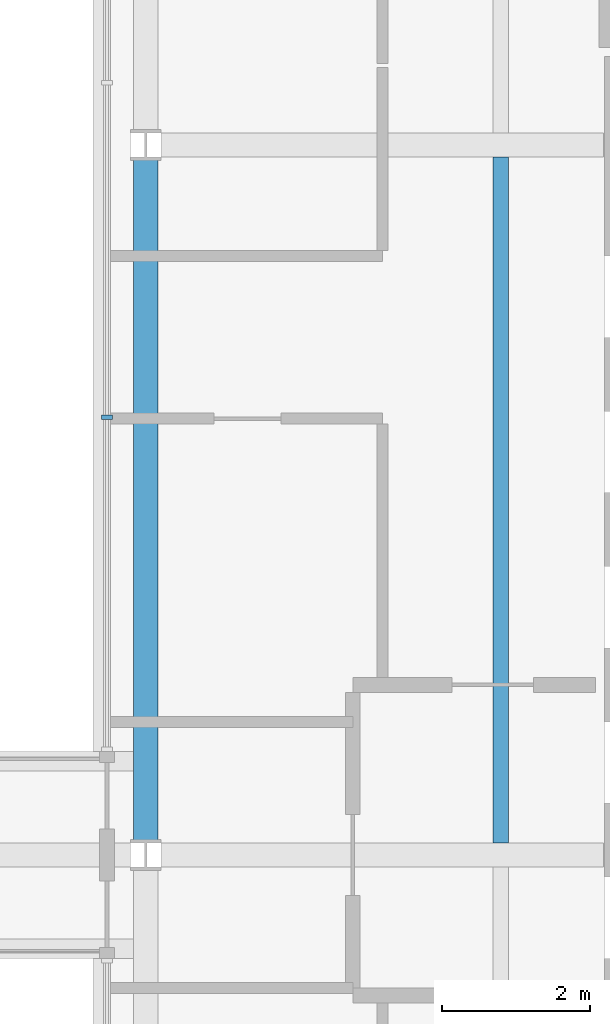
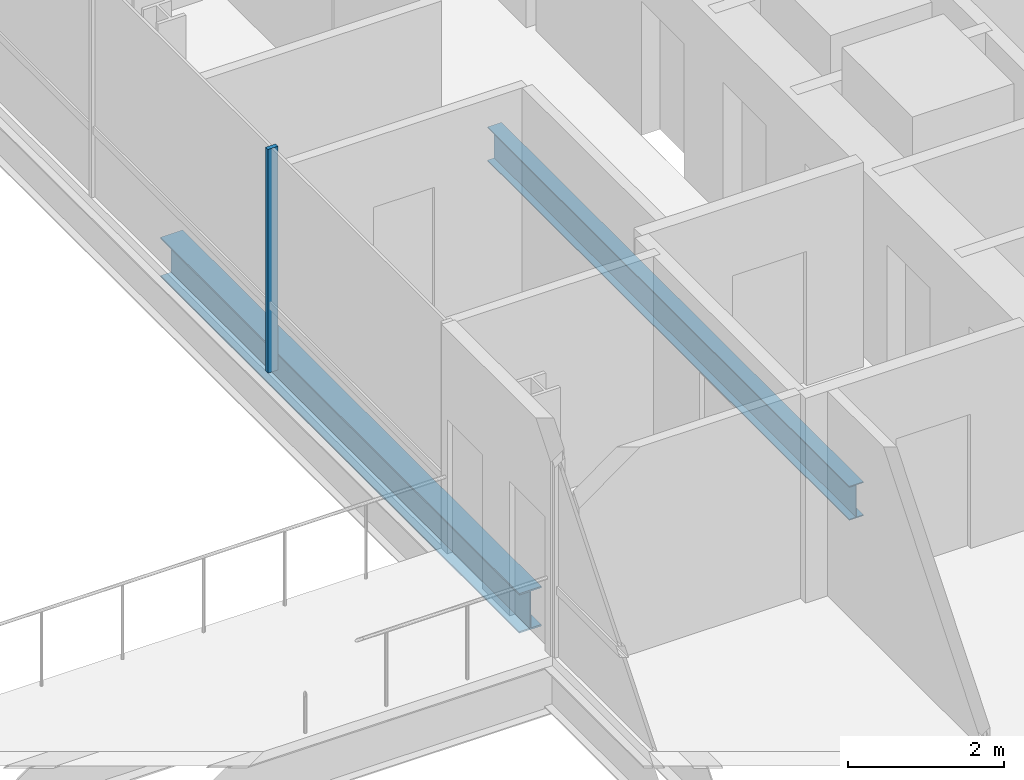
# One storey, part 5 of 21: 2 beams, 1 member, 1 element without a shape of its own.
"""IFC4 building model written with IfcOpenShell, lengths in metres."""

from ifc_helpers import new_model, si_unit, direction, frame, origin, origin_2d, place, context, subcontext, project, spatial, rectangle, i_section, extrude, material, material_profile, profile_set, type_object, element, aggregate, save


model = new_model("IFC4")

# Units and contexts
model_context = context("Model", 3, precision=1e-05, world=origin(), true_north=direction((0.0, 1.0)))
body_context = subcontext(model_context, "Body", "Model", "MODEL_VIEW")
ifc_project = project(units=[si_unit("LENGTHUNIT", "METRE"), si_unit("AREAUNIT", "SQUARE_METRE"), si_unit("VOLUMEUNIT", "CUBIC_METRE"), si_unit("PLANEANGLEUNIT", "RADIAN"), si_unit("MASSUNIT", "GRAM", prefix="KILO")], contexts=[model_context])

# Site, building, storey
site_placement = place(None, origin())
site = spatial("IfcSite", under=ifc_project, at=site_placement, CompositionType="ELEMENT")
building_placement = place(site_placement, origin())
building = spatial("IfcBuilding", under=site, at=building_placement, Name="Cobrizo Arcos Hotel Tower", CompositionType="ELEMENT")
storey_placement = place(building_placement, frame((0.0, 0.0, 81.0)))
storey = spatial("IfcBuildingStorey", under=building, at=storey_placement, Name="L19", CompositionType="ELEMENT", Elevation=81.0)

# Curtain wall, member
ifc_material_1 = material(Name="Aluminium 6063-T6 anodised bronze", Category="aluminium")
curtain_wall_type = type_object("IfcCurtainWallType", Name="CW-F void screen", PredefinedType="NOTDEFINED", material=ifc_material_1)
curtain_wall_placement = place(storey_placement, origin())
curtain_wall = element("IfcCurtainWall", 1, at=curtain_wall_placement, inside=storey, type_object=curtain_wall_type, Name="CW-F L19 void screen A", PredefinedType="NOTDEFINED")
ifc_material_profile_1 = material_profile(ifc_material_1, rectangle(XDim=0.14990234375, YDim=0.06005859375, at=origin_2d()), Name="CW-F mullion 150x60")
ifc_profile_set_1 = profile_set([ifc_material_profile_1], Name="Aluminium 6063-T6 anodised bronze")
member_type = type_object("IfcMemberType", Name="CW-F mullion 150x60", PredefinedType="MULLION", material=ifc_profile_set_1)
member_placement = place(storey_placement, frame((9.074951171875, 5.919921875, 0.0), z_axis=(0.0, 0.0, 1.0), x_axis=(1.0, 0.0, 0.0)))
member = element("IfcMember", 2, at=member_placement, type_object=member_type, Name="CW-F mullion 2", PredefinedType="MULLION", context=body_context, shape_type="SweptSolid", body=[
    extrude(rectangle(XDim=0.14990234375, YDim=0.06005859375, at=origin_2d()), origin(), (0.0, 0.0, 1.0), 3.5),
])
aggregate(curtain_wall, [member])

# Beams
ifc_material_2 = material(Name="Steel ASTM A992 Grade 50", Category="steel")
ifc_material_profile_2 = material_profile(ifc_material_2, i_section(OverallWidth=0.209228515625, OverallDepth=0.533447265625, WebThickness=0.01025390625, FlangeThickness=0.015625, at=origin_2d()), Name="W21X62")
ifc_profile_set_2 = profile_set([ifc_material_profile_2], Name="Steel ASTM A992 Grade 50")
beam_type_1 = type_object("IfcBeamType", Name="W21X62 joist", PredefinedType="JOIST", material=ifc_profile_set_2)
beam_1_placement = place(storey_placement, frame((14.39990234375, 0.163818359375, -0.416748046875), z_axis=(0.0, 1.0, 0.0), x_axis=(-1.0, 0.0, 0.0)))
element("IfcBeam", 3, at=beam_1_placement, inside=storey, type_object=beam_type_1, Name="Floor joist J1, L19, no. 009", PredefinedType="JOIST", context=body_context, shape_type="SweptSolid", body=[
    extrude(i_section(OverallWidth=0.209228515625, OverallDepth=0.533447265625, WebThickness=0.01025390625, FlangeThickness=0.015625, at=origin_2d()), origin(), (0.0, 0.0, 1.0), 9.272216796875),
])
ifc_material_profile_3 = material_profile(ifc_material_2, i_section(OverallWidth=0.32763671875, OverallDepth=0.622314453125, WebThickness=0.015380859375, FlangeThickness=0.0244140625, at=origin_2d()), Name="W24X131")
ifc_profile_set_3 = profile_set([ifc_material_profile_3], Name="Steel ASTM A992 Grade 50")
beam_type_2 = type_object("IfcBeamType", Name="W24X131 girder", PredefinedType="BEAM", material=ifc_profile_set_3)
beam_2_placement = place(storey_placement, frame((9.60009765625, 0.204345703125, -0.461181640625), z_axis=(0.0, 1.0, 0.0), x_axis=(-1.0, 0.0, 0.0)))
element("IfcBeam", 4, at=beam_2_placement, inside=storey, type_object=beam_type_2, Name="Floor girder G1, L19, no. 014", PredefinedType="BEAM", context=body_context, shape_type="SweptSolid", body=[
    extrude(i_section(OverallWidth=0.32763671875, OverallDepth=0.622314453125, WebThickness=0.015380859375, FlangeThickness=0.0244140625, at=origin_2d()), origin(), (0.0, 0.0, 1.0), 9.191162109375),
])

save(model, "model.ifc")
